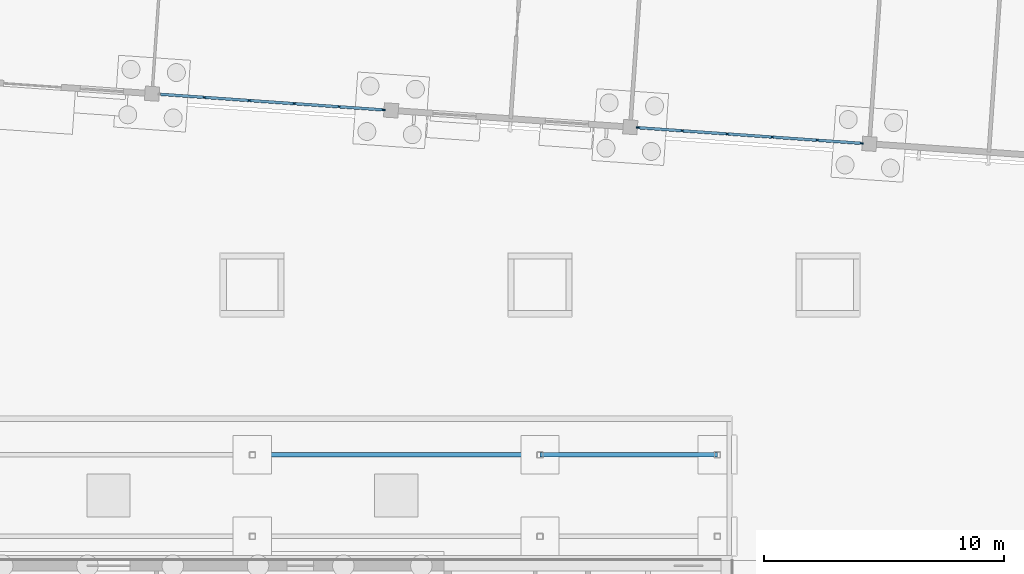
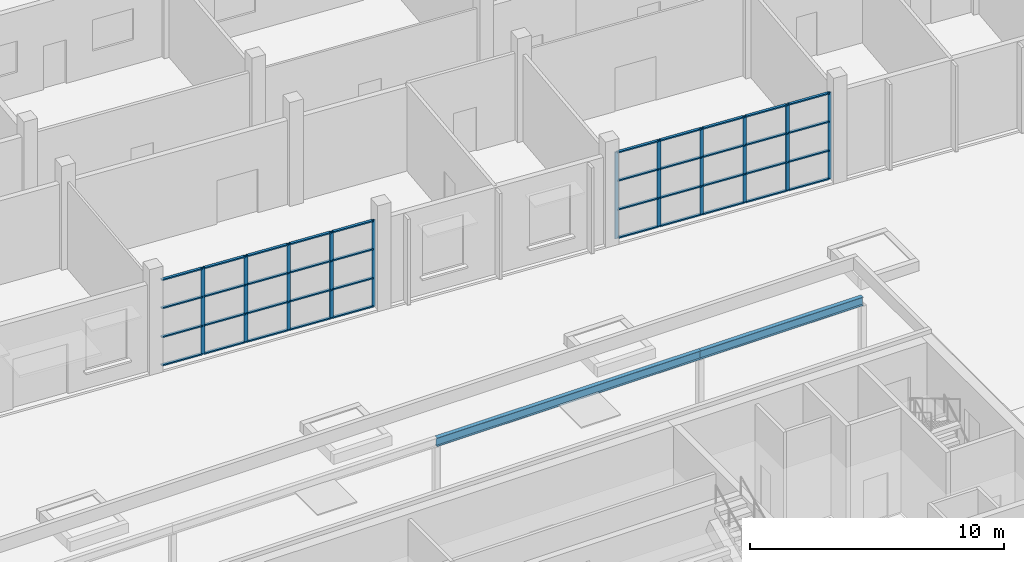
# One storey, part 55 of 157: 51 members, 2 beams, 2 elements without a shape of their own.
"""IFC4 building model written with IfcOpenShell, lengths in metres."""

from ifc_helpers import new_model, si_unit, direction, frame, origin, origin_2d, place, context, subcontext, project, spatial, rectangle, i_section, extrude, material, material_profile, profile_set, type_object, element, aggregate, save


model = new_model("IFC4")

# Units and contexts
model_context = context("Model", 3, precision=1e-05, world=origin(), true_north=direction((0.0, 1.0)))
body_context = subcontext(model_context, "Body", "Model", "MODEL_VIEW")
ifc_project = project(units=[si_unit("LENGTHUNIT", "METRE"), si_unit("AREAUNIT", "SQUARE_METRE"), si_unit("VOLUMEUNIT", "CUBIC_METRE"), si_unit("PLANEANGLEUNIT", "RADIAN"), si_unit("MASSUNIT", "GRAM", prefix="KILO")], contexts=[model_context])

# Site, building, storey
site_placement = place(None, origin())
site = spatial("IfcSite", under=ifc_project, at=site_placement, CompositionType="ELEMENT")
building_placement = place(site_placement, origin())
building = spatial("IfcBuilding", under=site, at=building_placement, Name="Windward Yard Aquatics Centre", CompositionType="ELEMENT")
storey_placement = place(building_placement, origin())
storey = spatial("IfcBuildingStorey", under=building, at=storey_placement, Name="L00", CompositionType="ELEMENT", Elevation=0.0)

# Beams
ifc_material_1 = material(Name="Steel ASTM A992 Gr 50", Category="steel")
ifc_material_profile_1 = material_profile(ifc_material_1, i_section(OverallWidth=0.180908203125, OverallDepth=0.4169921875, WebThickness=0.010986328125, FlangeThickness=0.018310546875, at=origin_2d()), Name="W410X85")
ifc_profile_set_1 = profile_set([ifc_material_profile_1], Name="Steel ASTM A992 Gr 50")
beam_type = type_object("IfcBeamType", Name="A beam W410X85", PredefinedType="BEAM", material=ifc_profile_set_1)
beam_1_placement = place(storey_placement, frame((132.0, 100.39990234375, 4.1416015625), z_axis=(1.0, 0.0, 0.0), x_axis=(0.0, 1.0, 0.0)))
element("IfcBeam", 1, at=beam_1_placement, inside=storey, type_object=beam_type, Name="A.B.2.8", PredefinedType="BEAM", context=body_context, shape_type="SweptSolid", body=[
    extrude(i_section(OverallWidth=0.180908203125, OverallDepth=0.4169921875, WebThickness=0.010986328125, FlangeThickness=0.018310546875, at=origin_2d()), origin(), (0.0, 0.0, 1.0), 12.0),
])
beam_2_placement = place(storey_placement, frame((144.0, 100.39990234375, 4.1416015625), z_axis=(1.0, 0.0, 0.0), x_axis=(0.0, 1.0, 0.0)))
element("IfcBeam", 2, at=beam_2_placement, inside=storey, type_object=beam_type, Name="A.B.2.9", PredefinedType="BEAM", context=body_context, shape_type="SweptSolid", body=[
    extrude(i_section(OverallWidth=0.180908203125, OverallDepth=0.4169921875, WebThickness=0.010986328125, FlangeThickness=0.018310546875, at=origin_2d()), origin(), (0.0, 0.0, 1.0), 7.39990234375),
])

# Curtain wall, members
ifc_material_2 = material(Name="Aluminium curtain wall system", Category="aluminium")
curtain_wall_type = type_object("IfcCurtainWallType", Name="W curtain wall 1900", PredefinedType="NOTDEFINED", material=ifc_material_2)
curtain_wall_1_placement = place(storey_placement, origin())
curtain_wall_1 = element("IfcCurtainWall", 3, at=curtain_wall_1_placement, inside=storey, type_object=curtain_wall_type, Name="Wing south glazing L00 2", PredefinedType="NOTDEFINED")
ifc_material_3 = material(Name="Aluminium mullion", Category="aluminium")
ifc_material_profile_2 = material_profile(ifc_material_3, rectangle(XDim=0.06005859375, YDim=0.159912109375, at=origin_2d()), Name="AL 60x160")
ifc_profile_set_2 = profile_set([ifc_material_profile_2], Name="Aluminium mullion")
member_type_1 = type_object("IfcMemberType", Name="W CW mullion 60x160", PredefinedType="MULLION", material=ifc_profile_set_2)
member_1_placement = place(storey_placement, frame((129.9892578125, 115.31787109375, 0.0), z_axis=(0.0, 0.0, 1.0), x_axis=(0.069755340111, 0.997564129531, 0.0)))
member_1 = element("IfcMember", 4, at=member_1_placement, type_object=member_type_1, Name="WCW1 mullion 2", PredefinedType="MULLION", context=body_context, shape_type="SweptSolid", body=[
    extrude(rectangle(XDim=0.06005859375, YDim=0.159912109375, at=origin_2d()), origin(), (0.0, 0.0, 1.0), 4.169921875),
])
member_2_placement = place(storey_placement, frame((131.86474609375, 115.186767578125, 0.0), z_axis=(0.0, 0.0, 1.0), x_axis=(0.069755340111, 0.997564129531, 0.0)))
member_2 = element("IfcMember", 5, at=member_2_placement, type_object=member_type_1, Name="WCW1 mullion 3", PredefinedType="MULLION", context=body_context, shape_type="SweptSolid", body=[
    extrude(rectangle(XDim=0.06005859375, YDim=0.159912109375, at=origin_2d()), origin(), (0.0, 0.0, 1.0), 4.169921875),
])
member_3_placement = place(storey_placement, frame((133.739990234375, 115.0556640625, 0.0), z_axis=(0.0, 0.0, 1.0), x_axis=(0.069755340111, 0.997564129531, 0.0)))
member_3 = element("IfcMember", 6, at=member_3_placement, type_object=member_type_1, Name="WCW1 mullion 4", PredefinedType="MULLION", context=body_context, shape_type="SweptSolid", body=[
    extrude(rectangle(XDim=0.06005859375, YDim=0.159912109375, at=origin_2d()), origin(), (0.0, 0.0, 1.0), 4.169921875),
])
member_4_placement = place(storey_placement, frame((135.615478515625, 114.924560546875, 0.0), z_axis=(0.0, 0.0, 1.0), x_axis=(0.069755340111, 0.997564129531, 0.0)))
member_4 = element("IfcMember", 7, at=member_4_placement, type_object=member_type_1, Name="WCW1 mullion 5", PredefinedType="MULLION", context=body_context, shape_type="SweptSolid", body=[
    extrude(rectangle(XDim=0.06005859375, YDim=0.159912109375, at=origin_2d()), origin(), (0.0, 0.0, 1.0), 4.169921875),
])
member_5_placement = place(storey_placement, frame((137.4609375, 114.79541015625, 0.0), z_axis=(0.0, 0.0, 1.0), x_axis=(0.069755340111, 0.997564129531, 0.0)))
member_5 = element("IfcMember", 8, at=member_5_placement, type_object=member_type_1, Name="WCW1 mullion 6", PredefinedType="MULLION", context=body_context, shape_type="SweptSolid", body=[
    extrude(rectangle(XDim=0.06005859375, YDim=0.159912109375, at=origin_2d()), origin(), (0.0, 0.0, 1.0), 4.169921875),
])

curtain_wall_2_placement = place(storey_placement, origin())
curtain_wall_2 = element("IfcCurtainWall", 9, at=curtain_wall_2_placement, inside=storey, type_object=curtain_wall_type, Name="Wing south glazing L00 3", PredefinedType="NOTDEFINED")
member_6_placement = place(storey_placement, frame((148.094970703125, 114.0517578125, 0.0), z_axis=(0.0, 0.0, 1.0), x_axis=(0.069755340111, 0.997564129531, 0.0)))
member_6 = element("IfcMember", 10, at=member_6_placement, type_object=member_type_1, Name="WCW1 mullion 1", PredefinedType="MULLION", context=body_context, shape_type="SweptSolid", body=[
    extrude(rectangle(XDim=0.06005859375, YDim=0.159912109375, at=origin_2d()), origin(), (0.0, 0.0, 1.0), 4.169921875),
])
member_7_placement = place(storey_placement, frame((149.9404296875, 113.9228515625, 0.0), z_axis=(0.0, 0.0, 1.0), x_axis=(0.069755340111, 0.997564129531, 0.0)))
member_7 = element("IfcMember", 11, at=member_7_placement, type_object=member_type_1, Name="WCW1 mullion 2", PredefinedType="MULLION", context=body_context, shape_type="SweptSolid", body=[
    extrude(rectangle(XDim=0.06005859375, YDim=0.159912109375, at=origin_2d()), origin(), (0.0, 0.0, 1.0), 4.169921875),
])
member_8_placement = place(storey_placement, frame((151.81591796875, 113.79150390625, 0.0), z_axis=(0.0, 0.0, 1.0), x_axis=(0.069755340111, 0.997564129531, 0.0)))
member_8 = element("IfcMember", 12, at=member_8_placement, type_object=member_type_1, Name="WCW1 mullion 3", PredefinedType="MULLION", context=body_context, shape_type="SweptSolid", body=[
    extrude(rectangle(XDim=0.06005859375, YDim=0.159912109375, at=origin_2d()), origin(), (0.0, 0.0, 1.0), 4.169921875),
])
member_9_placement = place(storey_placement, frame((153.69140625, 113.660400390625, 0.0), z_axis=(0.0, 0.0, 1.0), x_axis=(0.069755340111, 0.997564129531, 0.0)))
member_9 = element("IfcMember", 13, at=member_9_placement, type_object=member_type_1, Name="WCW1 mullion 4", PredefinedType="MULLION", context=body_context, shape_type="SweptSolid", body=[
    extrude(rectangle(XDim=0.06005859375, YDim=0.159912109375, at=origin_2d()), origin(), (0.0, 0.0, 1.0), 4.169921875),
])
member_10_placement = place(storey_placement, frame((155.56689453125, 113.529296875, 0.0), z_axis=(0.0, 0.0, 1.0), x_axis=(0.069755340111, 0.997564129531, 0.0)))
member_10 = element("IfcMember", 14, at=member_10_placement, type_object=member_type_1, Name="WCW1 mullion 5", PredefinedType="MULLION", context=body_context, shape_type="SweptSolid", body=[
    extrude(rectangle(XDim=0.06005859375, YDim=0.159912109375, at=origin_2d()), origin(), (0.0, 0.0, 1.0), 4.169921875),
])
member_11_placement = place(storey_placement, frame((157.412353515625, 113.400390625, 0.0), z_axis=(0.0, 0.0, 1.0), x_axis=(0.069755340111, 0.997564129531, 0.0)))
member_11 = element("IfcMember", 15, at=member_11_placement, type_object=member_type_1, Name="WCW1 mullion 6", PredefinedType="MULLION", context=body_context, shape_type="SweptSolid", body=[
    extrude(rectangle(XDim=0.06005859375, YDim=0.159912109375, at=origin_2d()), origin(), (0.0, 0.0, 1.0), 4.169921875),
])

# Member
ifc_material_4 = material(Name="Aluminium transom", Category="aluminium")
ifc_material_profile_3 = material_profile(ifc_material_4, rectangle(XDim=0.1201171875, YDim=0.06005859375, at=origin_2d()), Name="AL 120x60")
ifc_profile_set_3 = profile_set([ifc_material_profile_3], Name="Aluminium transom")
member_type_2 = type_object("IfcMemberType", Name="W CW transom 120x60", PredefinedType="USERDEFINED", material=ifc_profile_set_3)
member_12_placement = place(storey_placement, frame((128.173583984375, 115.44482421875, 0.030029296875), z_axis=(0.997568269116, -0.069696115056, 0.0), x_axis=(0.069696115056, 0.997568269116, 0.0)))
member_12 = element("IfcMember", 16, at=member_12_placement, type_object=member_type_2, Name="WCW1 transom 1.1", ObjectType="TRANSOM", PredefinedType="USERDEFINED", context=body_context, shape_type="SweptSolid", body=[
    extrude(rectangle(XDim=0.1201171875, YDim=0.06005859375, at=origin_2d()), origin(), (0.0, 0.0, 1.0), 1.7900390625),
])

member_13_placement = place(storey_placement, frame((128.173583984375, 115.44482421875, 1.389892578125), z_axis=(0.997568269116, -0.069696115056, 0.0), x_axis=(0.069696115056, 0.997568269116, 0.0)))
member_13 = element("IfcMember", 17, at=member_13_placement, type_object=member_type_2, Name="WCW1 transom 1.2", ObjectType="TRANSOM", PredefinedType="USERDEFINED", context=body_context, shape_type="SweptSolid", body=[
    extrude(rectangle(XDim=0.1201171875, YDim=0.06005859375, at=origin_2d()), origin(), (0.0, 0.0, 1.0), 1.7900390625),
])

member_14_placement = place(storey_placement, frame((128.173583984375, 115.44482421875, 2.780029296875), z_axis=(0.997568269116, -0.069696115056, 0.0), x_axis=(0.069696115056, 0.997568269116, 0.0)))
member_14 = element("IfcMember", 18, at=member_14_placement, type_object=member_type_2, Name="WCW1 transom 1.3", ObjectType="TRANSOM", PredefinedType="USERDEFINED", context=body_context, shape_type="SweptSolid", body=[
    extrude(rectangle(XDim=0.1201171875, YDim=0.06005859375, at=origin_2d()), origin(), (0.0, 0.0, 1.0), 1.7900390625),
])

member_15_placement = place(storey_placement, frame((128.173583984375, 115.44482421875, 4.139892578125), z_axis=(0.997568269116, -0.069696115056, 0.0), x_axis=(0.069696115056, 0.997568269116, 0.0)))
member_15 = element("IfcMember", 19, at=member_15_placement, type_object=member_type_2, Name="WCW1 transom 1.4", ObjectType="TRANSOM", PredefinedType="USERDEFINED", context=body_context, shape_type="SweptSolid", body=[
    extrude(rectangle(XDim=0.1201171875, YDim=0.06005859375, at=origin_2d()), origin(), (0.0, 0.0, 1.0), 1.7900390625),
])

member_16_placement = place(storey_placement, frame((130.01904296875, 115.315673828125, 0.030029296875), z_axis=(0.99756447681, -0.06975037353, 0.0), x_axis=(0.06975037353, 0.99756447681, 0.0)))
member_16 = element("IfcMember", 20, at=member_16_placement, type_object=member_type_2, Name="WCW1 transom 2.1", ObjectType="TRANSOM", PredefinedType="USERDEFINED", context=body_context, shape_type="SweptSolid", body=[
    extrude(rectangle(XDim=0.1201171875, YDim=0.06005859375, at=origin_2d()), origin(), (0.0, 0.0, 1.0), 1.820068359375),
])

member_17_placement = place(storey_placement, frame((130.01904296875, 115.315673828125, 1.389892578125), z_axis=(0.99756447681, -0.06975037353, 0.0), x_axis=(0.06975037353, 0.99756447681, 0.0)))
member_17 = element("IfcMember", 21, at=member_17_placement, type_object=member_type_2, Name="WCW1 transom 2.2", ObjectType="TRANSOM", PredefinedType="USERDEFINED", context=body_context, shape_type="SweptSolid", body=[
    extrude(rectangle(XDim=0.1201171875, YDim=0.06005859375, at=origin_2d()), origin(), (0.0, 0.0, 1.0), 1.820068359375),
])

member_18_placement = place(storey_placement, frame((130.01904296875, 115.315673828125, 2.780029296875), z_axis=(0.99756447681, -0.06975037353, 0.0), x_axis=(0.06975037353, 0.99756447681, 0.0)))
member_18 = element("IfcMember", 22, at=member_18_placement, type_object=member_type_2, Name="WCW1 transom 2.3", ObjectType="TRANSOM", PredefinedType="USERDEFINED", context=body_context, shape_type="SweptSolid", body=[
    extrude(rectangle(XDim=0.1201171875, YDim=0.06005859375, at=origin_2d()), origin(), (0.0, 0.0, 1.0), 1.820068359375),
])

member_19_placement = place(storey_placement, frame((130.01904296875, 115.315673828125, 4.139892578125), z_axis=(0.99756447681, -0.06975037353, 0.0), x_axis=(0.06975037353, 0.99756447681, 0.0)))
member_19 = element("IfcMember", 23, at=member_19_placement, type_object=member_type_2, Name="WCW1 transom 2.4", ObjectType="TRANSOM", PredefinedType="USERDEFINED", context=body_context, shape_type="SweptSolid", body=[
    extrude(rectangle(XDim=0.1201171875, YDim=0.06005859375, at=origin_2d()), origin(), (0.0, 0.0, 1.0), 1.820068359375),
])

member_20_placement = place(storey_placement, frame((131.89453125, 115.1845703125, 0.030029296875), z_axis=(0.99756447681, -0.06975037353, 0.0), x_axis=(0.06975037353, 0.99756447681, 0.0)))
member_20 = element("IfcMember", 24, at=member_20_placement, type_object=member_type_2, Name="WCW1 transom 3.1", ObjectType="TRANSOM", PredefinedType="USERDEFINED", context=body_context, shape_type="SweptSolid", body=[
    extrude(rectangle(XDim=0.1201171875, YDim=0.06005859375, at=origin_2d()), origin(), (0.0, 0.0, 1.0), 1.820068359375),
])

member_21_placement = place(storey_placement, frame((131.89453125, 115.1845703125, 1.389892578125), z_axis=(0.99756447681, -0.06975037353, 0.0), x_axis=(0.06975037353, 0.99756447681, 0.0)))
member_21 = element("IfcMember", 25, at=member_21_placement, type_object=member_type_2, Name="WCW1 transom 3.2", ObjectType="TRANSOM", PredefinedType="USERDEFINED", context=body_context, shape_type="SweptSolid", body=[
    extrude(rectangle(XDim=0.1201171875, YDim=0.06005859375, at=origin_2d()), origin(), (0.0, 0.0, 1.0), 1.820068359375),
])

member_22_placement = place(storey_placement, frame((131.89453125, 115.1845703125, 2.780029296875), z_axis=(0.99756447681, -0.06975037353, 0.0), x_axis=(0.06975037353, 0.99756447681, 0.0)))
member_22 = element("IfcMember", 26, at=member_22_placement, type_object=member_type_2, Name="WCW1 transom 3.3", ObjectType="TRANSOM", PredefinedType="USERDEFINED", context=body_context, shape_type="SweptSolid", body=[
    extrude(rectangle(XDim=0.1201171875, YDim=0.06005859375, at=origin_2d()), origin(), (0.0, 0.0, 1.0), 1.820068359375),
])

member_23_placement = place(storey_placement, frame((131.89453125, 115.1845703125, 4.139892578125), z_axis=(0.99756447681, -0.06975037353, 0.0), x_axis=(0.06975037353, 0.99756447681, 0.0)))
member_23 = element("IfcMember", 27, at=member_23_placement, type_object=member_type_2, Name="WCW1 transom 3.4", ObjectType="TRANSOM", PredefinedType="USERDEFINED", context=body_context, shape_type="SweptSolid", body=[
    extrude(rectangle(XDim=0.1201171875, YDim=0.06005859375, at=origin_2d()), origin(), (0.0, 0.0, 1.0), 1.820068359375),
])

member_24_placement = place(storey_placement, frame((133.77001953125, 115.053466796875, 0.030029296875), z_axis=(0.997563824095, -0.069759707979, 0.0), x_axis=(0.069759707979, 0.997563824095, 0.0)))
member_24 = element("IfcMember", 28, at=member_24_placement, type_object=member_type_2, Name="WCW1 transom 4.1", ObjectType="TRANSOM", PredefinedType="USERDEFINED", context=body_context, shape_type="SweptSolid", body=[
    extrude(rectangle(XDim=0.1201171875, YDim=0.06005859375, at=origin_2d()), origin(), (0.0, 0.0, 1.0), 1.81982421875),
])

member_25_placement = place(storey_placement, frame((133.77001953125, 115.053466796875, 1.389892578125), z_axis=(0.997563824095, -0.069759707979, 0.0), x_axis=(0.069759707979, 0.997563824095, 0.0)))
member_25 = element("IfcMember", 29, at=member_25_placement, type_object=member_type_2, Name="WCW1 transom 4.2", ObjectType="TRANSOM", PredefinedType="USERDEFINED", context=body_context, shape_type="SweptSolid", body=[
    extrude(rectangle(XDim=0.1201171875, YDim=0.06005859375, at=origin_2d()), origin(), (0.0, 0.0, 1.0), 1.81982421875),
])

member_26_placement = place(storey_placement, frame((133.77001953125, 115.053466796875, 2.780029296875), z_axis=(0.997563824095, -0.069759707979, 0.0), x_axis=(0.069759707979, 0.997563824095, 0.0)))
member_26 = element("IfcMember", 30, at=member_26_placement, type_object=member_type_2, Name="WCW1 transom 4.3", ObjectType="TRANSOM", PredefinedType="USERDEFINED", context=body_context, shape_type="SweptSolid", body=[
    extrude(rectangle(XDim=0.1201171875, YDim=0.06005859375, at=origin_2d()), origin(), (0.0, 0.0, 1.0), 1.81982421875),
])

member_27_placement = place(storey_placement, frame((133.77001953125, 115.053466796875, 4.139892578125), z_axis=(0.997563824095, -0.069759707979, 0.0), x_axis=(0.069759707979, 0.997563824095, 0.0)))
member_27 = element("IfcMember", 31, at=member_27_placement, type_object=member_type_2, Name="WCW1 transom 4.4", ObjectType="TRANSOM", PredefinedType="USERDEFINED", context=body_context, shape_type="SweptSolid", body=[
    extrude(rectangle(XDim=0.1201171875, YDim=0.06005859375, at=origin_2d()), origin(), (0.0, 0.0, 1.0), 1.81982421875),
])

member_28_placement = place(storey_placement, frame((135.6455078125, 114.92236328125, 0.030029296875), z_axis=(0.997558777123, -0.069831842205, 0.0), x_axis=(0.069831842205, 0.997558777123, 0.0)))
member_28 = element("IfcMember", 32, at=member_28_placement, type_object=member_type_2, Name="WCW1 transom 5.1", ObjectType="TRANSOM", PredefinedType="USERDEFINED", context=body_context, shape_type="SweptSolid", body=[
    extrude(rectangle(XDim=0.1201171875, YDim=0.06005859375, at=origin_2d()), origin(), (0.0, 0.0, 1.0), 1.7900390625),
])

member_29_placement = place(storey_placement, frame((135.6455078125, 114.92236328125, 1.389892578125), z_axis=(0.997558777123, -0.069831842205, 0.0), x_axis=(0.069831842205, 0.997558777123, 0.0)))
member_29 = element("IfcMember", 33, at=member_29_placement, type_object=member_type_2, Name="WCW1 transom 5.2", ObjectType="TRANSOM", PredefinedType="USERDEFINED", context=body_context, shape_type="SweptSolid", body=[
    extrude(rectangle(XDim=0.1201171875, YDim=0.06005859375, at=origin_2d()), origin(), (0.0, 0.0, 1.0), 1.7900390625),
])

member_30_placement = place(storey_placement, frame((135.6455078125, 114.92236328125, 2.780029296875), z_axis=(0.997558777123, -0.069831842205, 0.0), x_axis=(0.069831842205, 0.997558777123, 0.0)))
member_30 = element("IfcMember", 34, at=member_30_placement, type_object=member_type_2, Name="WCW1 transom 5.3", ObjectType="TRANSOM", PredefinedType="USERDEFINED", context=body_context, shape_type="SweptSolid", body=[
    extrude(rectangle(XDim=0.1201171875, YDim=0.06005859375, at=origin_2d()), origin(), (0.0, 0.0, 1.0), 1.7900390625),
])

member_31_placement = place(storey_placement, frame((135.6455078125, 114.92236328125, 4.139892578125), z_axis=(0.997558777123, -0.069831842205, 0.0), x_axis=(0.069831842205, 0.997558777123, 0.0)))
member_31 = element("IfcMember", 35, at=member_31_placement, type_object=member_type_2, Name="WCW1 transom 5.4", ObjectType="TRANSOM", PredefinedType="USERDEFINED", context=body_context, shape_type="SweptSolid", body=[
    extrude(rectangle(XDim=0.1201171875, YDim=0.06005859375, at=origin_2d()), origin(), (0.0, 0.0, 1.0), 1.7900390625),
])

aggregate(curtain_wall_1, [member_1, member_2, member_3, member_4, member_5, member_12, member_13, member_14, member_15, member_16, member_17, member_18, member_19, member_20, member_21, member_22, member_23, member_24, member_25, member_26, member_27, member_28, member_29, member_30, member_31])

member_32_placement = place(storey_placement, frame((148.125, 114.0498046875, 0.030029296875), z_axis=(0.997558777123, -0.069831842205, 0.0), x_axis=(0.069831842205, 0.997558777123, 0.0)))
member_32 = element("IfcMember", 36, at=member_32_placement, type_object=member_type_2, Name="WCW1 transom 1.1", ObjectType="TRANSOM", PredefinedType="USERDEFINED", context=body_context, shape_type="SweptSolid", body=[
    extrude(rectangle(XDim=0.1201171875, YDim=0.06005859375, at=origin_2d()), origin(), (0.0, 0.0, 1.0), 1.7900390625),
])

member_33_placement = place(storey_placement, frame((148.125, 114.0498046875, 1.389892578125), z_axis=(0.997558777123, -0.069831842205, 0.0), x_axis=(0.069831842205, 0.997558777123, 0.0)))
member_33 = element("IfcMember", 37, at=member_33_placement, type_object=member_type_2, Name="WCW1 transom 1.2", ObjectType="TRANSOM", PredefinedType="USERDEFINED", context=body_context, shape_type="SweptSolid", body=[
    extrude(rectangle(XDim=0.1201171875, YDim=0.06005859375, at=origin_2d()), origin(), (0.0, 0.0, 1.0), 1.7900390625),
])

member_34_placement = place(storey_placement, frame((148.125, 114.0498046875, 2.780029296875), z_axis=(0.997558777123, -0.069831842205, 0.0), x_axis=(0.069831842205, 0.997558777123, 0.0)))
member_34 = element("IfcMember", 38, at=member_34_placement, type_object=member_type_2, Name="WCW1 transom 1.3", ObjectType="TRANSOM", PredefinedType="USERDEFINED", context=body_context, shape_type="SweptSolid", body=[
    extrude(rectangle(XDim=0.1201171875, YDim=0.06005859375, at=origin_2d()), origin(), (0.0, 0.0, 1.0), 1.7900390625),
])

member_35_placement = place(storey_placement, frame((148.125, 114.0498046875, 4.139892578125), z_axis=(0.997558777123, -0.069831842205, 0.0), x_axis=(0.069831842205, 0.997558777123, 0.0)))
member_35 = element("IfcMember", 39, at=member_35_placement, type_object=member_type_2, Name="WCW1 transom 1.4", ObjectType="TRANSOM", PredefinedType="USERDEFINED", context=body_context, shape_type="SweptSolid", body=[
    extrude(rectangle(XDim=0.1201171875, YDim=0.06005859375, at=origin_2d()), origin(), (0.0, 0.0, 1.0), 1.7900390625),
])

member_36_placement = place(storey_placement, frame((149.970458984375, 113.920654296875, 0.030029296875), z_axis=(0.99756447681, -0.06975037353, 0.0), x_axis=(0.06975037353, 0.99756447681, 0.0)))
member_36 = element("IfcMember", 40, at=member_36_placement, type_object=member_type_2, Name="WCW1 transom 2.1", ObjectType="TRANSOM", PredefinedType="USERDEFINED", context=body_context, shape_type="SweptSolid", body=[
    extrude(rectangle(XDim=0.1201171875, YDim=0.06005859375, at=origin_2d()), origin(), (0.0, 0.0, 1.0), 1.820068359375),
])

member_37_placement = place(storey_placement, frame((149.970458984375, 113.920654296875, 1.389892578125), z_axis=(0.99756447681, -0.06975037353, 0.0), x_axis=(0.06975037353, 0.99756447681, 0.0)))
member_37 = element("IfcMember", 41, at=member_37_placement, type_object=member_type_2, Name="WCW1 transom 2.2", ObjectType="TRANSOM", PredefinedType="USERDEFINED", context=body_context, shape_type="SweptSolid", body=[
    extrude(rectangle(XDim=0.1201171875, YDim=0.06005859375, at=origin_2d()), origin(), (0.0, 0.0, 1.0), 1.820068359375),
])

member_38_placement = place(storey_placement, frame((149.970458984375, 113.920654296875, 2.780029296875), z_axis=(0.99756447681, -0.06975037353, 0.0), x_axis=(0.06975037353, 0.99756447681, 0.0)))
member_38 = element("IfcMember", 42, at=member_38_placement, type_object=member_type_2, Name="WCW1 transom 2.3", ObjectType="TRANSOM", PredefinedType="USERDEFINED", context=body_context, shape_type="SweptSolid", body=[
    extrude(rectangle(XDim=0.1201171875, YDim=0.06005859375, at=origin_2d()), origin(), (0.0, 0.0, 1.0), 1.820068359375),
])

member_39_placement = place(storey_placement, frame((149.970458984375, 113.920654296875, 4.139892578125), z_axis=(0.99756447681, -0.06975037353, 0.0), x_axis=(0.06975037353, 0.99756447681, 0.0)))
member_39 = element("IfcMember", 43, at=member_39_placement, type_object=member_type_2, Name="WCW1 transom 2.4", ObjectType="TRANSOM", PredefinedType="USERDEFINED", context=body_context, shape_type="SweptSolid", body=[
    extrude(rectangle(XDim=0.1201171875, YDim=0.06005859375, at=origin_2d()), origin(), (0.0, 0.0, 1.0), 1.820068359375),
])

member_40_placement = place(storey_placement, frame((151.845947265625, 113.78955078125, 0.030029296875), z_axis=(0.997563824095, -0.069759707979, 0.0), x_axis=(0.069759707979, 0.997563824095, 0.0)))
member_40 = element("IfcMember", 44, at=member_40_placement, type_object=member_type_2, Name="WCW1 transom 3.1", ObjectType="TRANSOM", PredefinedType="USERDEFINED", context=body_context, shape_type="SweptSolid", body=[
    extrude(rectangle(XDim=0.1201171875, YDim=0.06005859375, at=origin_2d()), origin(), (0.0, 0.0, 1.0), 1.81982421875),
])

member_41_placement = place(storey_placement, frame((151.845947265625, 113.78955078125, 1.389892578125), z_axis=(0.997563824095, -0.069759707979, 0.0), x_axis=(0.069759707979, 0.997563824095, 0.0)))
member_41 = element("IfcMember", 45, at=member_41_placement, type_object=member_type_2, Name="WCW1 transom 3.2", ObjectType="TRANSOM", PredefinedType="USERDEFINED", context=body_context, shape_type="SweptSolid", body=[
    extrude(rectangle(XDim=0.1201171875, YDim=0.06005859375, at=origin_2d()), origin(), (0.0, 0.0, 1.0), 1.81982421875),
])

member_42_placement = place(storey_placement, frame((151.845947265625, 113.78955078125, 2.780029296875), z_axis=(0.997563824095, -0.069759707979, 0.0), x_axis=(0.069759707979, 0.997563824095, 0.0)))
member_42 = element("IfcMember", 46, at=member_42_placement, type_object=member_type_2, Name="WCW1 transom 3.3", ObjectType="TRANSOM", PredefinedType="USERDEFINED", context=body_context, shape_type="SweptSolid", body=[
    extrude(rectangle(XDim=0.1201171875, YDim=0.06005859375, at=origin_2d()), origin(), (0.0, 0.0, 1.0), 1.81982421875),
])

member_43_placement = place(storey_placement, frame((151.845947265625, 113.78955078125, 4.139892578125), z_axis=(0.997563824095, -0.069759707979, 0.0), x_axis=(0.069759707979, 0.997563824095, 0.0)))
member_43 = element("IfcMember", 47, at=member_43_placement, type_object=member_type_2, Name="WCW1 transom 3.4", ObjectType="TRANSOM", PredefinedType="USERDEFINED", context=body_context, shape_type="SweptSolid", body=[
    extrude(rectangle(XDim=0.1201171875, YDim=0.06005859375, at=origin_2d()), origin(), (0.0, 0.0, 1.0), 1.81982421875),
])

member_44_placement = place(storey_placement, frame((153.72119140625, 113.658447265625, 0.030029296875), z_axis=(0.99756447681, -0.06975037353, 0.0), x_axis=(0.06975037353, 0.99756447681, 0.0)))
member_44 = element("IfcMember", 48, at=member_44_placement, type_object=member_type_2, Name="WCW1 transom 4.1", ObjectType="TRANSOM", PredefinedType="USERDEFINED", context=body_context, shape_type="SweptSolid", body=[
    extrude(rectangle(XDim=0.1201171875, YDim=0.06005859375, at=origin_2d()), origin(), (0.0, 0.0, 1.0), 1.820068359375),
])

member_45_placement = place(storey_placement, frame((153.72119140625, 113.658447265625, 1.389892578125), z_axis=(0.99756447681, -0.06975037353, 0.0), x_axis=(0.06975037353, 0.99756447681, 0.0)))
member_45 = element("IfcMember", 49, at=member_45_placement, type_object=member_type_2, Name="WCW1 transom 4.2", ObjectType="TRANSOM", PredefinedType="USERDEFINED", context=body_context, shape_type="SweptSolid", body=[
    extrude(rectangle(XDim=0.1201171875, YDim=0.06005859375, at=origin_2d()), origin(), (0.0, 0.0, 1.0), 1.820068359375),
])

member_46_placement = place(storey_placement, frame((153.72119140625, 113.658447265625, 2.780029296875), z_axis=(0.99756447681, -0.06975037353, 0.0), x_axis=(0.06975037353, 0.99756447681, 0.0)))
member_46 = element("IfcMember", 50, at=member_46_placement, type_object=member_type_2, Name="WCW1 transom 4.3", ObjectType="TRANSOM", PredefinedType="USERDEFINED", context=body_context, shape_type="SweptSolid", body=[
    extrude(rectangle(XDim=0.1201171875, YDim=0.06005859375, at=origin_2d()), origin(), (0.0, 0.0, 1.0), 1.820068359375),
])

member_47_placement = place(storey_placement, frame((153.72119140625, 113.658447265625, 4.139892578125), z_axis=(0.99756447681, -0.06975037353, 0.0), x_axis=(0.06975037353, 0.99756447681, 0.0)))
member_47 = element("IfcMember", 51, at=member_47_placement, type_object=member_type_2, Name="WCW1 transom 4.4", ObjectType="TRANSOM", PredefinedType="USERDEFINED", context=body_context, shape_type="SweptSolid", body=[
    extrude(rectangle(XDim=0.1201171875, YDim=0.06005859375, at=origin_2d()), origin(), (0.0, 0.0, 1.0), 1.820068359375),
])

member_48_placement = place(storey_placement, frame((155.5966796875, 113.52734375, 0.030029296875), z_axis=(0.997558777123, -0.069831842205, 0.0), x_axis=(0.069831842205, 0.997558777123, 0.0)))
member_48 = element("IfcMember", 52, at=member_48_placement, type_object=member_type_2, Name="WCW1 transom 5.1", ObjectType="TRANSOM", PredefinedType="USERDEFINED", context=body_context, shape_type="SweptSolid", body=[
    extrude(rectangle(XDim=0.1201171875, YDim=0.06005859375, at=origin_2d()), origin(), (0.0, 0.0, 1.0), 1.7900390625),
])

member_49_placement = place(storey_placement, frame((155.5966796875, 113.52734375, 1.389892578125), z_axis=(0.997558777123, -0.069831842205, 0.0), x_axis=(0.069831842205, 0.997558777123, 0.0)))
member_49 = element("IfcMember", 53, at=member_49_placement, type_object=member_type_2, Name="WCW1 transom 5.2", ObjectType="TRANSOM", PredefinedType="USERDEFINED", context=body_context, shape_type="SweptSolid", body=[
    extrude(rectangle(XDim=0.1201171875, YDim=0.06005859375, at=origin_2d()), origin(), (0.0, 0.0, 1.0), 1.7900390625),
])

member_50_placement = place(storey_placement, frame((155.5966796875, 113.52734375, 2.780029296875), z_axis=(0.997558777123, -0.069831842205, 0.0), x_axis=(0.069831842205, 0.997558777123, 0.0)))
member_50 = element("IfcMember", 54, at=member_50_placement, type_object=member_type_2, Name="WCW1 transom 5.3", ObjectType="TRANSOM", PredefinedType="USERDEFINED", context=body_context, shape_type="SweptSolid", body=[
    extrude(rectangle(XDim=0.1201171875, YDim=0.06005859375, at=origin_2d()), origin(), (0.0, 0.0, 1.0), 1.7900390625),
])

member_51_placement = place(storey_placement, frame((155.5966796875, 113.52734375, 4.139892578125), z_axis=(0.997558777123, -0.069831842205, 0.0), x_axis=(0.069831842205, 0.997558777123, 0.0)))
member_51 = element("IfcMember", 55, at=member_51_placement, type_object=member_type_2, Name="WCW1 transom 5.4", ObjectType="TRANSOM", PredefinedType="USERDEFINED", context=body_context, shape_type="SweptSolid", body=[
    extrude(rectangle(XDim=0.1201171875, YDim=0.06005859375, at=origin_2d()), origin(), (0.0, 0.0, 1.0), 1.7900390625),
])

aggregate(curtain_wall_2, [member_6, member_7, member_8, member_9, member_10, member_11, member_32, member_33, member_34, member_35, member_36, member_37, member_38, member_39, member_40, member_41, member_42, member_43, member_44, member_45, member_46, member_47, member_48, member_49, member_50, member_51])

save(model, "model.ifc")
